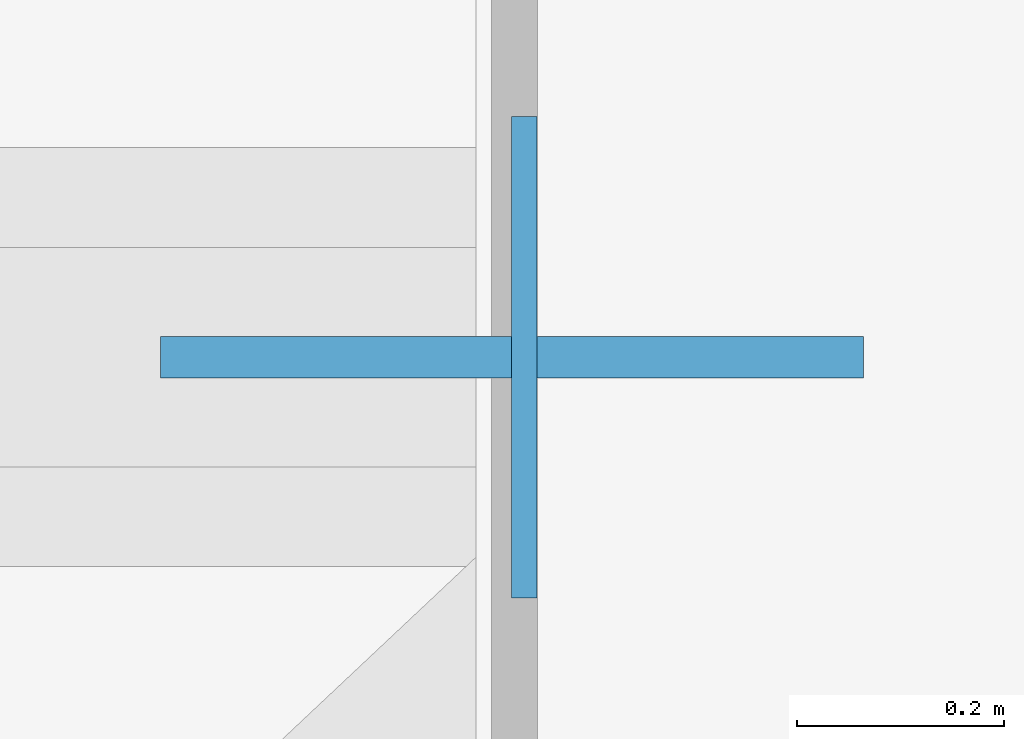
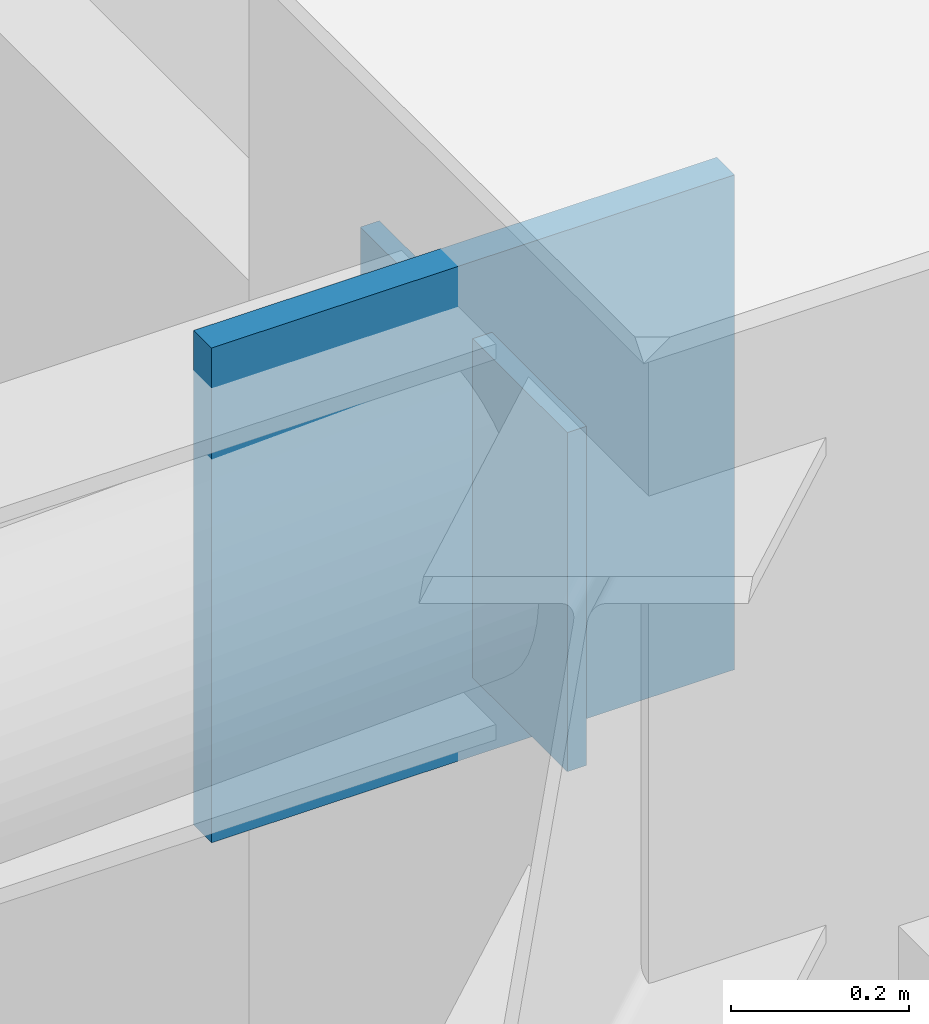
# One storey, part 4 of 13: 2 plates.
"""IFC4 building model written with IfcOpenShell, lengths in metres."""

from ifc_helpers import new_model, si_unit, direction, frame, origin, origin_2d, place, context, subcontext, project, spatial, rectangle, extrude, material, layer, layer_set, type_object, element, save


model = new_model("IFC4")

# Units and contexts
model_context = context("Model", 3, precision=1e-05, world=origin(), true_north=direction((0.0, 1.0)))
body_context = subcontext(model_context, "Body", "Model", "MODEL_VIEW")
ifc_project = project(units=[si_unit("LENGTHUNIT", "METRE"), si_unit("AREAUNIT", "SQUARE_METRE"), si_unit("VOLUMEUNIT", "CUBIC_METRE"), si_unit("PLANEANGLEUNIT", "RADIAN"), si_unit("MASSUNIT", "GRAM", prefix="KILO")], contexts=[model_context])

# Site, building, storey
site_placement = place(None, origin())
site = spatial("IfcSite", under=ifc_project, at=site_placement, CompositionType="ELEMENT")
building_placement = place(site_placement, origin())
building = spatial("IfcBuilding", under=site, at=building_placement, Name="Khamvora Tower", CompositionType="ELEMENT")
storey_placement = place(building_placement, frame((0.0, 0.0, 196.050048828125)))
storey = spatial("IfcBuildingStorey", under=building, at=storey_placement, Name="L50", CompositionType="ELEMENT", Elevation=196.050048828125)

# Plates
ifc_material_1 = material(Name="Steel S355", Category="steel")
ifc_layer_1 = layer(ifc_material_1, 0.02490234375)
ifc_layer_set_1 = layer_set([ifc_layer_1], Name="Steel S355")
plate_type_1 = type_object("IfcPlateType", Name="PL-CAP-25", PredefinedType="SHEET", material=ifc_layer_set_1)
plate_1_placement = place(storey_placement, frame((56.33203125, 44.5, 2.912109375), z_axis=(0.0, 0.0, 1.0), x_axis=(1.0, 0.0, 0.0)))
element("IfcPlate", 1, at=plate_1_placement, inside=storey, type_object=plate_type_1, Name="L50 hollow section steel end cap plate 0983", PredefinedType="SHEET", context=body_context, shape_type="SweptSolid", body=[
    extrude(rectangle(XDim=0.02490234375, YDim=0.466064453125, at=origin_2d()), origin(), (0.0, 0.0, 1.0), 0.466064453125),
])
ifc_material_2 = material(Name="Steel S460", Category="steel")
ifc_layer_2 = layer(ifc_material_2, 0.0400390625)
ifc_layer_set_2 = layer_set([ifc_layer_2], Name="Steel S460")
plate_type_2 = type_object("IfcPlateType", Name="PLT-GUS-40", PredefinedType="SHEET", material=ifc_layer_set_2)
plate_2_placement = place(storey_placement, frame((56.320068359375, 44.5, 2.80419921875), z_axis=(0.0, 0.0, 1.0), x_axis=(1.0, 0.0, 0.0)))
element("IfcPlate", 2, at=plate_2_placement, inside=storey, type_object=plate_type_2, Name="L50 brace connection node gusset plate 0320", PredefinedType="SHEET", context=body_context, shape_type="SweptSolid", body=[
    extrude(rectangle(XDim=0.679931640625, YDim=0.0400390625, at=origin_2d()), origin(), (0.0, 0.0, 1.0), 0.679931640625),
])

save(model, "model.ifc")
